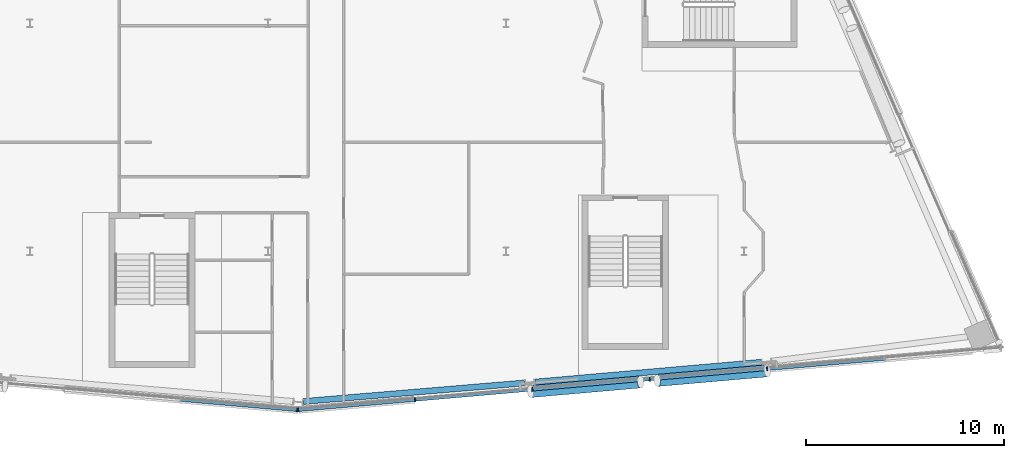
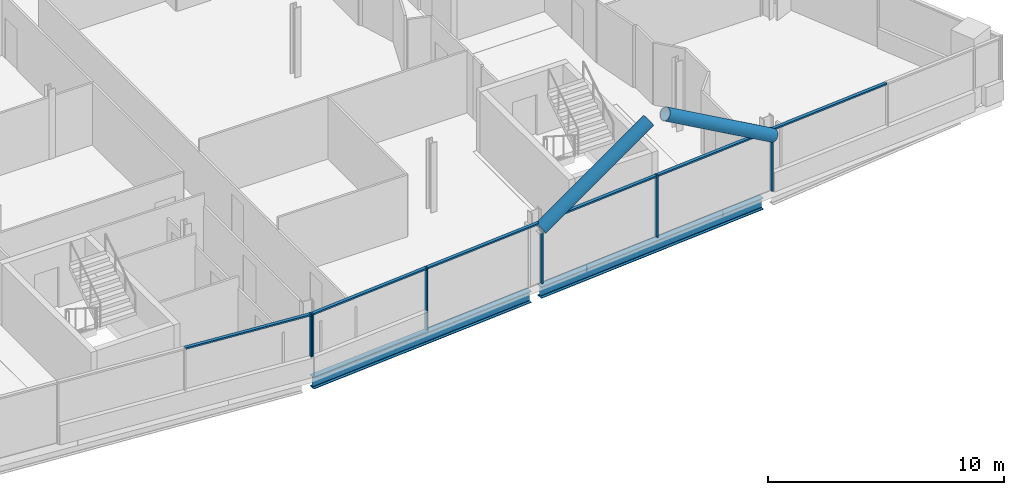
# One storey, part 8 of 28: 14 members, 2 beams, 2 elements without a shape of their own.
"""IFC4 building model written with IfcOpenShell, lengths in metres."""

from ifc_helpers import new_model, si_unit, direction, frame, origin, origin_2d, place, context, subcontext, project, spatial, rectangle, hollow_circle, i_section, extrude, material, material_profile, profile_set, type_object, element, aggregate, save


model = new_model("IFC4")

# Units and contexts
model_context = context("Model", 3, precision=1e-05, world=origin(), true_north=direction((0.0, 1.0)))
body_context = subcontext(model_context, "Body", "Model", "MODEL_VIEW")
ifc_project = project(units=[si_unit("LENGTHUNIT", "METRE"), si_unit("AREAUNIT", "SQUARE_METRE"), si_unit("VOLUMEUNIT", "CUBIC_METRE"), si_unit("PLANEANGLEUNIT", "RADIAN"), si_unit("MASSUNIT", "GRAM", prefix="KILO")], contexts=[model_context])

# Site, building, storey
site_placement = place(None, origin())
site = spatial("IfcSite", under=ifc_project, at=site_placement, CompositionType="ELEMENT")
building_placement = place(site_placement, origin())
building = spatial("IfcBuilding", under=site, at=building_placement, Name="Wharfspan Tower", CompositionType="ELEMENT")
storey_placement = place(building_placement, frame((0.0, 0.0, 250.300049)))
storey = spatial("IfcBuildingStorey", under=building, at=storey_placement, Name="L63", CompositionType="ELEMENT", Elevation=250.300049)

# Beams
ifc_material_1 = material(Name="Steel S355J2", Category="steel")
ifc_material_profile_1 = material_profile(ifc_material_1, i_section(OverallWidth=0.300049, OverallDepth=0.600098, WebThickness=0.015381, FlangeThickness=0.030029, FilletRadius=0.0271, at=origin_2d()))
ifc_profile_set_1 = profile_set([ifc_material_profile_1], Name="Steel S355J2")
beam_type = type_object("IfcBeamType", Name="Edge beam HEB 600", PredefinedType="SPANDREL", material=ifc_profile_set_1)
beam_1_placement = place(storey_placement, frame((49.783691, 3.923828, -0.699951), z_axis=(0.996517, 0.083395, 0.0), x_axis=(-0.083395, 0.996517, 0.0)))
element("IfcBeam", 1, at=beam_1_placement, inside=storey, type_object=beam_type, Name="Edge beam S2 L63 PS1.3 to PS2.1", PredefinedType="SPANDREL", context=body_context, shape_type="SweptSolid", body=[
    extrude(i_section(OverallWidth=0.300049, OverallDepth=0.600098, WebThickness=0.015381, FlangeThickness=0.030029, FilletRadius=0.0271, at=origin_2d()), origin(), (0.0, 0.0, 1.0), 11.200684),
])
beam_2_placement = place(storey_placement, frame((61.459473, 4.901855, -0.699951), z_axis=(0.996195, 0.087157, 0.0), x_axis=(-0.087157, 0.996195, 0.0)))
element("IfcBeam", 2, at=beam_2_placement, inside=storey, type_object=beam_type, Name="Edge beam S2 L63 PS2.1 to PS2.2", PredefinedType="SPANDREL", context=body_context, shape_type="SweptSolid", body=[
    extrude(i_section(OverallWidth=0.300049, OverallDepth=0.600098, WebThickness=0.015381, FlangeThickness=0.030029, FilletRadius=0.0271, at=origin_2d()), origin(), (0.0, 0.0, 1.0), 11.462402),
])

# Curtain wall, member
ifc_material_2 = material(Name="Aluminium 6063-T6", Category="aluminium")
curtain_wall_type = type_object("IfcCurtainWallType", Name="CURTAIN WALL FACETED FRONT", PredefinedType="NOTDEFINED", material=ifc_material_2)
curtain_wall_1_placement = place(storey_placement, origin())
curtain_wall_1 = element("IfcCurtainWall", 3, at=curtain_wall_1_placement, inside=storey, type_object=curtain_wall_type, Name="Curtain wall S1", PredefinedType="NOTDEFINED")
ifc_material_profile_2 = material_profile(ifc_material_2, rectangle(XDim=0.199951, YDim=0.060059, at=origin_2d()))
ifc_profile_set_2 = profile_set([ifc_material_profile_2], Name="Aluminium 6063-T6")
member_type_1 = type_object("IfcMemberType", Name="MULLION FACETED FRONT 60x200", PredefinedType="MULLION", material=ifc_profile_set_2)
member_1_placement = place(storey_placement, frame((49.470215, 3.496826, 1.0), z_axis=(0.0, 0.0, 1.0), x_axis=(0.087156, 0.996197, 0.0)))
member_1 = element("IfcMember", 4, at=member_1_placement, type_object=member_type_1, Name="Curtain wall S1 mullion 6", PredefinedType="MULLION", context=body_context, shape_type="SweptSolid", body=[
    extrude(rectangle(XDim=0.199951, YDim=0.060059, at=origin_2d()), origin(), (0.0, 0.0, 1.0), 2.199951),
])

# Curtain wall, members
curtain_wall_2_placement = place(storey_placement, origin())
curtain_wall_2 = element("IfcCurtainWall", 5, at=curtain_wall_2_placement, inside=storey, type_object=curtain_wall_type, Name="Curtain wall S2", PredefinedType="NOTDEFINED")
member_2_placement = place(storey_placement, frame((49.529785, 3.496826, 1.0), z_axis=(0.0, 0.0, 1.0), x_axis=(-0.087156, 0.996197, 0.0)))
member_2 = element("IfcMember", 6, at=member_2_placement, type_object=member_type_1, Name="Curtain wall S2 mullion 1", PredefinedType="MULLION", context=body_context, shape_type="SweptSolid", body=[
    extrude(rectangle(XDim=0.199951, YDim=0.060059, at=origin_2d()), origin(), (0.0, 0.0, 1.0), 2.199951),
])
member_3_placement = place(storey_placement, frame((55.416748, 4.011719, 0.0), z_axis=(0.0, 0.0, 1.0), x_axis=(-0.087156, 0.996197, 0.0)))
member_3 = element("IfcMember", 7, at=member_3_placement, type_object=member_type_1, Name="Curtain wall S2 mullion 2", PredefinedType="MULLION", context=body_context, shape_type="SweptSolid", body=[
    extrude(rectangle(XDim=0.199951, YDim=0.060059, at=origin_2d()), origin(), (0.0, 0.0, 1.0), 3.199951),
])
member_4_placement = place(storey_placement, frame((61.333252, 4.529541, 0.0), z_axis=(0.0, 0.0, 1.0), x_axis=(-0.087156, 0.996197, 0.0)))
member_4 = element("IfcMember", 8, at=member_4_placement, type_object=member_type_1, Name="Curtain wall S2 mullion 3", PredefinedType="MULLION", context=body_context, shape_type="SweptSolid", body=[
    extrude(rectangle(XDim=0.199951, YDim=0.060059, at=origin_2d()), origin(), (0.0, 0.0, 1.0), 3.199951),
])
member_5_placement = place(storey_placement, frame((67.25, 5.047119, 0.0), z_axis=(0.0, 0.0, 1.0), x_axis=(-0.087156, 0.996197, 0.0)))
member_5 = element("IfcMember", 9, at=member_5_placement, type_object=member_type_1, Name="Curtain wall S2 mullion 4", PredefinedType="MULLION", context=body_context, shape_type="SweptSolid", body=[
    extrude(rectangle(XDim=0.199951, YDim=0.060059, at=origin_2d()), origin(), (0.0, 0.0, 1.0), 3.199951),
])
member_6_placement = place(storey_placement, frame((73.166748, 5.564697, 0.0), z_axis=(0.0, 0.0, 1.0), x_axis=(-0.087156, 0.996197, 0.0)))
member_6 = element("IfcMember", 10, at=member_6_placement, type_object=member_type_1, Name="Curtain wall S2 mullion 5", PredefinedType="MULLION", context=body_context, shape_type="SweptSolid", body=[
    extrude(rectangle(XDim=0.199951, YDim=0.060059, at=origin_2d()), origin(), (0.0, 0.0, 1.0), 3.199951),
])

# Members
ifc_material_3 = material(Name="Steel S460NH", Category="steel")
ifc_material_profile_3 = material_profile(ifc_material_3, hollow_circle(Radius=0.304932, WallThickness=0.024902, at=origin_2d()))
ifc_profile_set_3 = profile_set([ifc_material_profile_3], Name="Steel S460NH")
member_type_2 = type_object("IfcMemberType", Name="Mega brace CHS 610x25", PredefinedType="BRACE", material=ifc_profile_set_3)
for number, where, z_axis, x_axis, name in (
    (11, (61.241943, 4.426025, 2.899902), (0.853829, 0.074698, 0.515166), (-0.087155, 0.996197, 3e-06), "Mega brace S2 L64 part 1"),
    (12, (73.175049, 5.469971, 2.899902), (-0.853829, -0.074698, 0.515166), (0.087155, -0.996197, 3e-06), "Mega brace S2 L64 part 3"),
):
    element("IfcMember", number, at=place(storey_placement, frame(where, z_axis=z_axis, x_axis=x_axis)), inside=storey, type_object=member_type_2, Name=name, PredefinedType="BRACE", context=body_context, shape_type="SweptSolid", body=[
        extrude(hollow_circle(Radius=0.304932, WallThickness=0.024902, at=origin_2d()), origin(), (0.0, 0.0, 1.0), 6.484375),
    ])

# Member
ifc_material_profile_4 = material_profile(ifc_material_2, rectangle(XDim=0.159912, YDim=0.080078, at=origin_2d()))
ifc_profile_set_4 = profile_set([ifc_material_profile_4], Name="Aluminium 6063-T6")
member_type_3 = type_object("IfcMemberType", Name="TRANSOM FACETED FRONT 80x160", PredefinedType="USERDEFINED", material=ifc_profile_set_4)
member_7_placement = place(storey_placement, frame((43.629883, 4.007812, 3.159912), z_axis=(0.996192, -0.087191, 0.0), x_axis=(0.087191, 0.996192, 0.0)))
member_7 = element("IfcMember", 13, at=member_7_placement, type_object=member_type_3, Name="Curtain wall S1 transom 5", ObjectType="TRANSOM", PredefinedType="USERDEFINED", context=body_context, shape_type="SweptSolid", body=[
    extrude(rectangle(XDim=0.159912, YDim=0.080078, at=origin_2d()), origin(), (0.0, 0.0, 1.0), 5.83252),
])

aggregate(curtain_wall_1, [member_1, member_7])

member_8_placement = place(storey_placement, frame((49.559814, 3.499268, 3.159912), z_axis=(0.996191, 0.087193, 0.0), x_axis=(-0.087193, 0.996191, 0.0)))
member_8 = element("IfcMember", 14, at=member_8_placement, type_object=member_type_3, Name="Curtain wall S2 transom 1", ObjectType="TRANSOM", PredefinedType="USERDEFINED", context=body_context, shape_type="SweptSolid", body=[
    extrude(rectangle(XDim=0.159912, YDim=0.080078, at=origin_2d()), origin(), (0.0, 0.0, 1.0), 5.849121),
])

member_9_placement = place(storey_placement, frame((55.446533, 4.014404, 3.159912), z_axis=(0.996194, 0.087162, 0.0), x_axis=(-0.087162, 0.996194, 0.0)))
member_9 = element("IfcMember", 15, at=member_9_placement, type_object=member_type_3, Name="Curtain wall S2 transom 2", ObjectType="TRANSOM", PredefinedType="USERDEFINED", context=body_context, shape_type="SweptSolid", body=[
    extrude(rectangle(XDim=0.159912, YDim=0.080078, at=origin_2d()), origin(), (0.0, 0.0, 1.0), 5.879395),
])

member_10_placement = place(storey_placement, frame((61.363281, 4.531982, 3.159912), z_axis=(0.996194, 0.087162, 0.0), x_axis=(-0.087162, 0.996194, 0.0)))
member_10 = element("IfcMember", 16, at=member_10_placement, type_object=member_type_3, Name="Curtain wall S2 transom 3", ObjectType="TRANSOM", PredefinedType="USERDEFINED", context=body_context, shape_type="SweptSolid", body=[
    extrude(rectangle(XDim=0.159912, YDim=0.080078, at=origin_2d()), origin(), (0.0, 0.0, 1.0), 5.879395),
])

member_11_placement = place(storey_placement, frame((67.279785, 5.049805, 3.159912), z_axis=(0.996198, 0.087121, 0.0), x_axis=(-0.087121, 0.996198, 0.0)))
member_11 = element("IfcMember", 17, at=member_11_placement, type_object=member_type_3, Name="Curtain wall S2 transom 4", ObjectType="TRANSOM", PredefinedType="USERDEFINED", context=body_context, shape_type="SweptSolid", body=[
    extrude(rectangle(XDim=0.159912, YDim=0.080078, at=origin_2d()), origin(), (0.0, 0.0, 1.0), 5.879395),
])

member_12_placement = place(storey_placement, frame((73.196533, 5.567383, 3.159912), z_axis=(0.996194, 0.087162, 0.0), x_axis=(-0.087162, 0.996194, 0.0)))
member_12 = element("IfcMember", 18, at=member_12_placement, type_object=member_type_3, Name="Curtain wall S2 transom 5", ObjectType="TRANSOM", PredefinedType="USERDEFINED", context=body_context, shape_type="SweptSolid", body=[
    extrude(rectangle(XDim=0.159912, YDim=0.080078, at=origin_2d()), origin(), (0.0, 0.0, 1.0), 5.879395),
])

aggregate(curtain_wall_2, [member_2, member_3, member_4, member_5, member_6, member_8, member_9, member_10, member_11, member_12])

save(model, "model.ifc")
